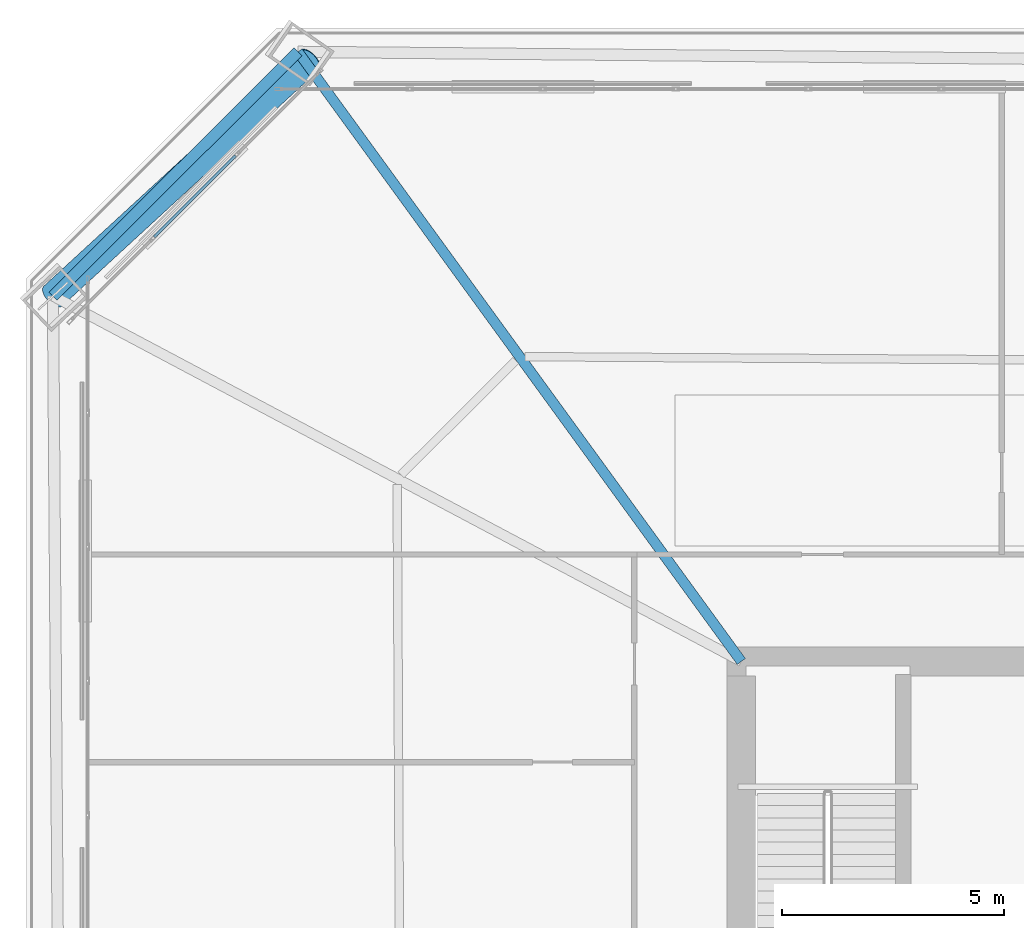
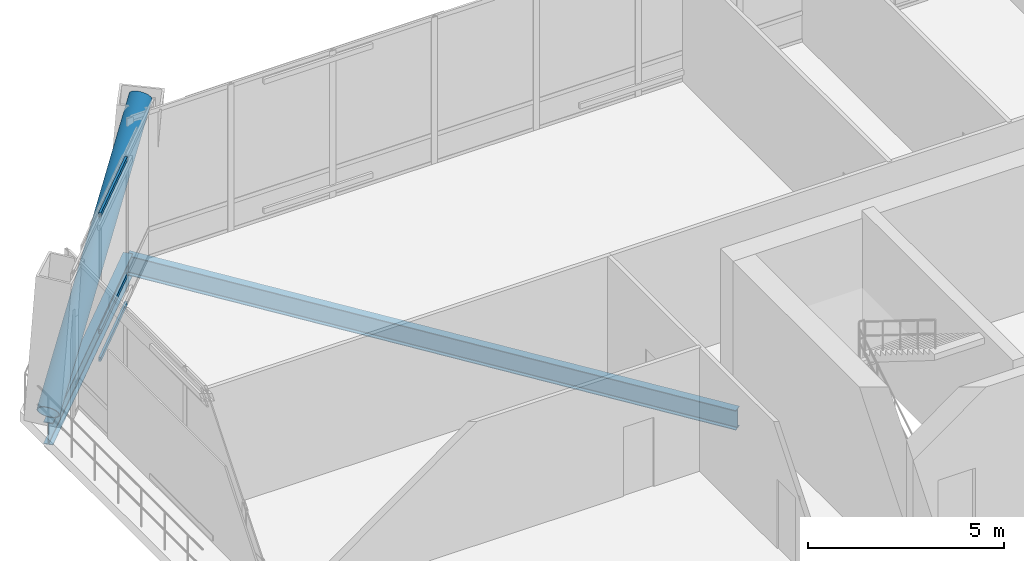
# One storey, part 32 of 48: 4 members, 2 beams, 1 element without a shape of its own.
"""IFC4 building model written with IfcOpenShell, lengths in metres."""

import ifcopenshell
import ifcopenshell.guid

model = None  # the IFC model being written
_history = None  # IfcOwnerHistory: only IFC2X3 demands one
_inside = {}  # id of a spatial element -> (the spatial element, [elements in it])
_under = {}  # id of a project, library or spatial element -> (it, [spatial elements below it])
_declared = {}  # id of a project -> (the project, [libraries it declares])
_typed = {}  # id of a type object -> (the type object, [elements of that type])
_made_of = {}  # id of a material, layer set ... -> (it, [elements and type objects made of it])


def new_model(schema):
    """Start an empty IFC model of exactly this schema.

    Asked for "IFC4X3", IfcOpenShell would pick the latest addendum, in which some entities
    have other attributes; the version numbers below select the first issue.
    IFC2X3 requires an IfcOwnerHistory on every rooted entity: one is made here for all.
    """
    global model, _history
    if schema == "IFC4X3":
        model = ifcopenshell.file(schema_version=(4, 3, 0, 0))
    else:
        model = ifcopenshell.file(schema=schema)
    _inside.clear()
    _under.clear()
    _declared.clear()
    _typed.clear()
    _made_of.clear()
    _history = None
    if model.schema == "IFC2X3":
        org = make("IfcOrganization", Name="unknown")
        user = make(
            "IfcPersonAndOrganization",
            ThePerson=make("IfcPerson", FamilyName="unknown"),
            TheOrganization=org,
        )
        app = make(
            "IfcApplication",
            ApplicationDeveloper=org,
            Version="unknown",
            ApplicationFullName="unknown",
            ApplicationIdentifier="unknown",
        )
        _history = make(
            "IfcOwnerHistory",
            OwningUser=user,
            OwningApplication=app,
            ChangeAction="ADDED",
            CreationDate=0,
        )
    return model


def make(cls, **values):
    """One entity of the class cls with the attributes given. An attribute that is None is left unset."""
    return model.create_entity(
        cls, **{name: value for name, value in values.items() if value is not None}
    )


def rooted(cls, **values):
    """An entity with a GlobalId (a new one), such as an element, a storey or a relation."""
    return make(cls, GlobalId=ifcopenshell.guid.new(), OwnerHistory=_history, **values)


def si_unit(unit_type, name, prefix=None):
    """IfcSIUnit, for example si_unit("LENGTHUNIT", "METRE", prefix="MILLI")."""
    return make("IfcSIUnit", UnitType=unit_type, Prefix=prefix, Name=name)


def assignment(units):
    """IfcUnitAssignment: the units of a project."""
    return None if units is None else make("IfcUnitAssignment", Units=units)


def point(xyz):
    """IfcCartesianPoint."""
    return None if xyz is None else make("IfcCartesianPoint", Coordinates=xyz)


def direction(xyz):
    """IfcDirection."""
    return None if xyz is None else make("IfcDirection", DirectionRatios=xyz)


def frame(location, z_axis=None, x_axis=None):
    """IfcAxis2Placement3D, a coordinate frame: its origin and axes. An axis left out is left unset."""
    return make(
        "IfcAxis2Placement3D",
        Location=point(location),
        Axis=direction(z_axis),
        RefDirection=direction(x_axis),
    )


def frame_2d(location, x_axis=None):
    """IfcAxis2Placement2D, a coordinate frame in the plane: its origin and x axis."""
    return make(
        "IfcAxis2Placement2D", Location=point(location), RefDirection=direction(x_axis)
    )


def origin():
    """The frame at (0, 0, 0) with its axes left unset."""
    return frame((0.0, 0.0, 0.0))


def origin_2d():
    """The frame at (0, 0) in the plane with its x axis left unset."""
    return frame_2d((0.0, 0.0))


def place(relative_to, where):
    """IfcLocalPlacement: puts the frame where relative to a parent placement (None: the world)."""
    return make(
        "IfcLocalPlacement", PlacementRelTo=relative_to, RelativePlacement=where
    )


def context(
    kind, dimensions, precision=None, world=None, true_north=None, identifier=None
):
    """IfcGeometricRepresentationContext, for example the 3D "Model" context."""
    return make(
        "IfcGeometricRepresentationContext",
        ContextIdentifier=identifier,
        ContextType=kind,
        CoordinateSpaceDimension=dimensions,
        Precision=precision,
        WorldCoordinateSystem=world,
        TrueNorth=true_north,
    )


def subcontext(parent, identifier, kind, view, scale=None):
    """IfcGeometricRepresentationSubContext, for example "Body" below "Model"."""
    return make(
        "IfcGeometricRepresentationSubContext",
        ContextIdentifier=identifier,
        ContextType=kind,
        ParentContext=parent,
        TargetScale=scale,
        TargetView=view,
    )


def project(units=None, contexts=None):
    """IfcProject with its units and contexts."""
    return rooted(
        "IfcProject",
        Name="project",
        RepresentationContexts=contexts,
        UnitsInContext=assignment(units),
    )


def spatial(cls, under=None, at=None, **own):
    """A site, building, storey or space (cls), placed at a placement, below another one or the project."""
    s = rooted(cls, ObjectPlacement=at, **own)
    if under is not None:
        _under.setdefault(under.id(), (under, []))[1].append(s)
    return s


def profile(cls, at=None, kind="AREA", **sizes):
    """A parametric profile (cls). Its sizes go by their IFC names, for example OverallWidth=200.0."""
    return make(cls, ProfileType=kind, Position=at, **sizes)


def hollow_rectangle(**sizes):
    """IfcRectangleHollowProfileDef."""
    return profile("IfcRectangleHollowProfileDef", **sizes)


def hollow_circle(**sizes):
    """IfcCircleHollowProfileDef."""
    return profile("IfcCircleHollowProfileDef", **sizes)


def i_section(**sizes):
    """IfcIShapeProfileDef."""
    return profile("IfcIShapeProfileDef", **sizes)


def extrude(swept, where, along, depth):
    """IfcExtrudedAreaSolid: the profile swept, set in the frame where, extruded along a direction by depth."""
    return make(
        "IfcExtrudedAreaSolid",
        SweptArea=swept,
        Position=where,
        ExtrudedDirection=direction(along),
        Depth=depth,
    )


def shape(context_of_items, identifier, shape_type, items):
    """IfcShapeRepresentation: the items that make up one representation, for example the "Body"."""
    return make(
        "IfcShapeRepresentation",
        ContextOfItems=context_of_items,
        RepresentationIdentifier=identifier,
        RepresentationType=shape_type,
        Items=items,
    )


def material(Name=None, Category=None):
    """IfcMaterial."""
    return make("IfcMaterial", Name=Name, Category=Category)


def layer(
    of_material, thickness, ventilated=None, Name=None, Category=None, Priority=None
):
    """IfcMaterialLayer: one layer of a wall or slab, of a material (None: an air gap)."""
    return make(
        "IfcMaterialLayer",
        Material=of_material,
        LayerThickness=thickness,
        IsVentilated=ventilated,
        Name=Name,
        Category=Category,
        Priority=Priority,
    )


def layer_set(layers, Name=None):
    """IfcMaterialLayerSet."""
    return make("IfcMaterialLayerSet", MaterialLayers=layers, LayerSetName=Name)


def material_profile(
    of_material, cross_section, Name=None, Category=None, Priority=None
):
    """IfcMaterialProfile: a cross section and its material."""
    return make(
        "IfcMaterialProfile",
        Name=Name,
        Material=of_material,
        Profile=cross_section,
        Priority=Priority,
        Category=Category,
    )


def profile_set(profiles, Name=None, composite=None):
    """IfcMaterialProfileSet."""
    return make(
        "IfcMaterialProfileSet",
        Name=Name,
        MaterialProfiles=profiles,
        CompositeProfile=composite,
    )


def made_of(thing, what):
    """Note that an element or type object is made of a material, layer set ...; save() writes the relation."""
    if what is not None:
        _made_of.setdefault(what.id(), (what, []))[1].append(thing)
    return thing


def type_object(cls, material=None, **own):
    """A type object (cls), such as IfcWallType, which elements share."""
    return made_of(rooted(cls, **own), material)


def element(
    cls,
    number,
    at=None,
    inside=None,
    cuts=None,
    type_object=None,
    material=None,
    context=None,
    identifier="Body",
    shape_type=None,
    held_by="IfcProductDefinitionShape",
    body=None,
    shapes=None,
    **own,
):
    """One element of the class cls, such as IfcWall. Its Tag is "e" and its number.

    at: its placement. inside: the storey or other place that contains it. cuts: it is an
    opening in that element (IfcRelVoidsElement). A single representation is given by context,
    identifier, shape_type and body (its items); several are given by shapes. held_by: the class
    of the entity that holds the representations. save() writes the other relations.
    """
    e = rooted(cls, Tag="e%d" % number, ObjectPlacement=at, **own)
    if body is not None:
        shapes = [shape(context, identifier, shape_type, body)]
    if shapes is not None:
        e.Representation = make(held_by, Representations=shapes)
    if inside is not None:
        _inside.setdefault(inside.id(), (inside, []))[1].append(e)
    if cuts is not None:
        rooted(
            "IfcRelVoidsElement", RelatingBuildingElement=cuts, RelatedOpeningElement=e
        )
    if type_object is not None:
        _typed.setdefault(type_object.id(), (type_object, []))[1].append(e)
    return made_of(e, material)


def aggregate(whole, parts):
    """IfcRelAggregates: a whole, such as a stair, and the parts it consists of."""
    return rooted("IfcRelAggregates", RelatingObject=whole, RelatedObjects=parts)


def save(model, path):
    """Write the relations noted so far, then the file.

    IfcRelAggregates (storeys below a building ...), IfcRelContainedInSpatialStructure (elements
    in a storey), IfcRelDefinesByType, IfcRelAssociatesMaterial and IfcRelDeclares: one each for
    every whole, place, type object, material and project.
    """
    for whole, parts in _under.values():
        aggregate(whole, parts)
    for where, things in _inside.values():
        rooted(
            "IfcRelContainedInSpatialStructure",
            RelatedElements=things,
            RelatingStructure=where,
        )
    for kind, things in _typed.values():
        rooted("IfcRelDefinesByType", RelatedObjects=things, RelatingType=kind)
    for what, things in _made_of.values():
        rooted("IfcRelAssociatesMaterial", RelatedObjects=things, RelatingMaterial=what)
    for by, libraries in _declared.values():
        rooted("IfcRelDeclares", RelatingContext=by, RelatedDefinitions=libraries)
    model.write(path)


model = new_model("IFC4")

# Units and contexts
model_context = context("Model", 3, precision=1e-05, world=origin(), true_north=direction((0.0, 1.0)))
body_context = subcontext(model_context, "Body", "Model", "MODEL_VIEW")
ifc_project = project(units=[si_unit("LENGTHUNIT", "METRE"), si_unit("AREAUNIT", "SQUARE_METRE"), si_unit("VOLUMEUNIT", "CUBIC_METRE"), si_unit("PLANEANGLEUNIT", "RADIAN"), si_unit("MASSUNIT", "GRAM", prefix="KILO")], contexts=[model_context])

# Site, building, storey
site_placement = place(None, origin())
site = spatial("IfcSite", under=ifc_project, at=site_placement, CompositionType="ELEMENT")
building_placement = place(site_placement, origin())
building = spatial("IfcBuilding", under=site, at=building_placement, Name="Caelvoria Tower", CompositionType="ELEMENT")
storey_placement = place(building_placement, frame((0.0, 0.0, 90.39990234375)))
storey = spatial("IfcBuildingStorey", under=building, at=storey_placement, Name="L23", CompositionType="ELEMENT", Elevation=90.39990234375)

# Curtain wall, members
ifc_material_1 = material(Name="Anodised Bronze Aluminium and Low-E Glass", Category="aluminium")
ifc_layer = layer(ifc_material_1, 0.2099609375, Name="Anodised Bronze Aluminium and Low-E Glass")
ifc_layer_set = layer_set([ifc_layer], Name="CW System 3 Sky Lobby Double-Height Acoustic Facade - Anodised Bronze Aluminium and Low-E Glass")
curtain_wall_type = type_object("IfcCurtainWallType", Name="CW System 3 Sky Lobby Double-Height Acoustic Facade", PredefinedType="NOTDEFINED", material=ifc_layer_set)
curtain_wall_placement = place(storey_placement, origin())
curtain_wall = element("IfcCurtainWall", 1, at=curtain_wall_placement, inside=storey, type_object=curtain_wall_type, Name="CW-03 Curtain Wall L23-E5", PredefinedType="NOTDEFINED")
ifc_material_2 = material(Name="Anodised Bronze Architectural Aluminium", Category="aluminium")
ifc_material_profile_1 = material_profile(ifc_material_2, hollow_rectangle(XDim=0.06494140625, YDim=0.1298828125, WallThickness=0.00341796875, at=origin_2d()), Name="Anodised Bronze Architectural Aluminium")
ifc_profile_set_1 = profile_set([ifc_material_profile_1], Name="CW_TRAN_65X130 - Anodised Bronze Architectural Aluminium")
member_type_1 = type_object("IfcMemberType", Name="Curtain Wall Transom 65x130 Bronze Aluminium", PredefinedType="USERDEFINED", material=ifc_profile_set_1)
member_1_placement = place(storey_placement, frame((25.60107421875, 51.3994140625, 0.03271484375), z_axis=(-0.707153847901, -0.707059711339, 0.0), x_axis=(0.707059711339, -0.707153847901, 0.0)))
member_1 = element("IfcMember", 2, at=member_1_placement, type_object=member_type_1, Name="CW-03 transom 2.1", ObjectType="TRANSOM", PredefinedType="USERDEFINED", context=body_context, shape_type="SweptSolid", body=[
    extrude(hollow_rectangle(XDim=0.06494140625, YDim=0.1298828125, WallThickness=0.00341796875, at=origin_2d()), origin(), (0.0, 0.0, 1.0), 2.593505859375),
])
member_2_placement = place(storey_placement, frame((25.60107421875, 51.3994140625, 0.900146484375), z_axis=(-0.707153847901, -0.707059711339, 0.0), x_axis=(0.707059711339, -0.707153847901, 0.0)))
member_2 = element("IfcMember", 3, at=member_2_placement, type_object=member_type_1, Name="CW-03 transom 2.2", ObjectType="TRANSOM", PredefinedType="USERDEFINED", context=body_context, shape_type="SweptSolid", body=[
    extrude(hollow_rectangle(XDim=0.06494140625, YDim=0.1298828125, WallThickness=0.00341796875, at=origin_2d()), origin(), (0.0, 0.0, 1.0), 2.593505859375),
])
member_3_placement = place(storey_placement, frame((25.60107421875, 51.3994140625, 4.527587890625), z_axis=(-0.707153847901, -0.707059711339, 0.0), x_axis=(0.707059711339, -0.707153847901, 0.0)))
member_3 = element("IfcMember", 4, at=member_3_placement, type_object=member_type_1, Name="CW-03 transom 2.3", ObjectType="TRANSOM", PredefinedType="USERDEFINED", context=body_context, shape_type="SweptSolid", body=[
    extrude(hollow_rectangle(XDim=0.06494140625, YDim=0.1298828125, WallThickness=0.00341796875, at=origin_2d()), origin(), (0.0, 0.0, 1.0), 2.593505859375),
])
aggregate(curtain_wall, [member_1, member_2, member_3])

# Member
ifc_material_3 = material(Name="Structural Steel ASTM A572 Gr.50", Category="steel")
ifc_material_profile_2 = material_profile(ifc_material_3, hollow_circle(Radius=0.304931640625, WallThickness=0.02490234375, at=origin_2d()), Name="Structural Steel ASTM A572 Gr.50")
ifc_profile_set_2 = profile_set([ifc_material_profile_2], Name="CHS610X25 - Structural Steel ASTM A572 Gr.50")
member_type_2 = type_object("IfcMemberType", Name="Lower Perimeter Mega Brace CHS610X25", PredefinedType="BRACE", material=ifc_profile_set_2)
member_4_placement = place(storey_placement, frame((21.483642578125, 48.23583984375, 0.0), z_axis=(0.636876415462, 0.585383708232, 0.501711416618), x_axis=(-0.676716743092, 0.736243471698, 0.0)))
element("IfcMember", 5, at=member_4_placement, inside=storey, type_object=member_type_2, Name="Perimeter Chamfer Mega Brace L23 NW", PredefinedType="BRACE", context=body_context, shape_type="SweptSolid", body=[
    extrude(hollow_circle(Radius=0.304931640625, WallThickness=0.02490234375, at=origin_2d()), origin(), (0.0, 0.0, 1.0), 9.089111328125),
])

# Beams
ifc_material_4 = material(Name="Structural Steel ASTM A992 Gr.50", Category="steel")
ifc_material_profile_3 = material_profile(ifc_material_4, i_section(OverallWidth=0.25390625, OverallDepth=0.68798828125, WebThickness=0.01318359375, FlangeThickness=0.02099609375, FilletRadius=0.01904296875, at=origin_2d()), Name="Structural Steel ASTM A992 Gr.50")
ifc_profile_set_3 = profile_set([ifc_material_profile_3], Name="W690X152 - Structural Steel ASTM A992 Gr.50")
beam_type_1 = type_object("IfcBeamType", Name="Perimeter Spandrel Girder W690X152", PredefinedType="BEAM", material=ifc_profile_set_3)
beam_1_placement = place(storey_placement, frame((27.007080078125, 53.7412109375, -0.663818359375), z_axis=(-0.708264149892, -0.705947515031, 0.0), x_axis=(0.705947515031, -0.708264149892, 0.0)))
element("IfcBeam", 6, at=beam_1_placement, inside=storey, type_object=beam_type_1, Name="Perimeter Spandrel Girder L23-08", PredefinedType="BEAM", context=body_context, shape_type="SweptSolid", body=[
    extrude(i_section(OverallWidth=0.25390625, OverallDepth=0.68798828125, WebThickness=0.01318359375, FlangeThickness=0.02099609375, FilletRadius=0.01904296875, at=origin_2d()), origin(), (0.0, 0.0, 1.0), 7.798583984375),
])
ifc_material_profile_4 = material_profile(ifc_material_4, i_section(OverallWidth=0.22900390625, OverallDepth=0.612060546875, WebThickness=0.011962890625, FlangeThickness=0.01953125, FilletRadius=0.01806640625, at=origin_2d()), Name="Structural Steel ASTM A992 Gr.50")
ifc_profile_set_4 = profile_set([ifc_material_profile_4], Name="W610X125 - Structural Steel ASTM A992 Gr.50")
beam_type_2 = type_object("IfcBeamType", Name="Primary Radial Floor Girder W610X125", PredefinedType="BEAM", material=ifc_profile_set_4)
beam_2_placement = place(storey_placement, frame((37.0, 40.0, -0.6259765625), z_axis=(-0.588145211452, 0.808755346348, 0.0), x_axis=(-0.808755346348, -0.588145211452, 0.0)))
element("IfcBeam", 7, at=beam_2_placement, inside=storey, type_object=beam_type_2, Name="Primary Floor Girder L23-08", PredefinedType="BEAM", context=body_context, shape_type="SweptSolid", body=[
    extrude(i_section(OverallWidth=0.22900390625, OverallDepth=0.612060546875, WebThickness=0.011962890625, FlangeThickness=0.01953125, FilletRadius=0.01806640625, at=origin_2d()), origin(), (0.0, 0.0, 1.0), 16.990478515625),
])

save(model, "model.ifc")
